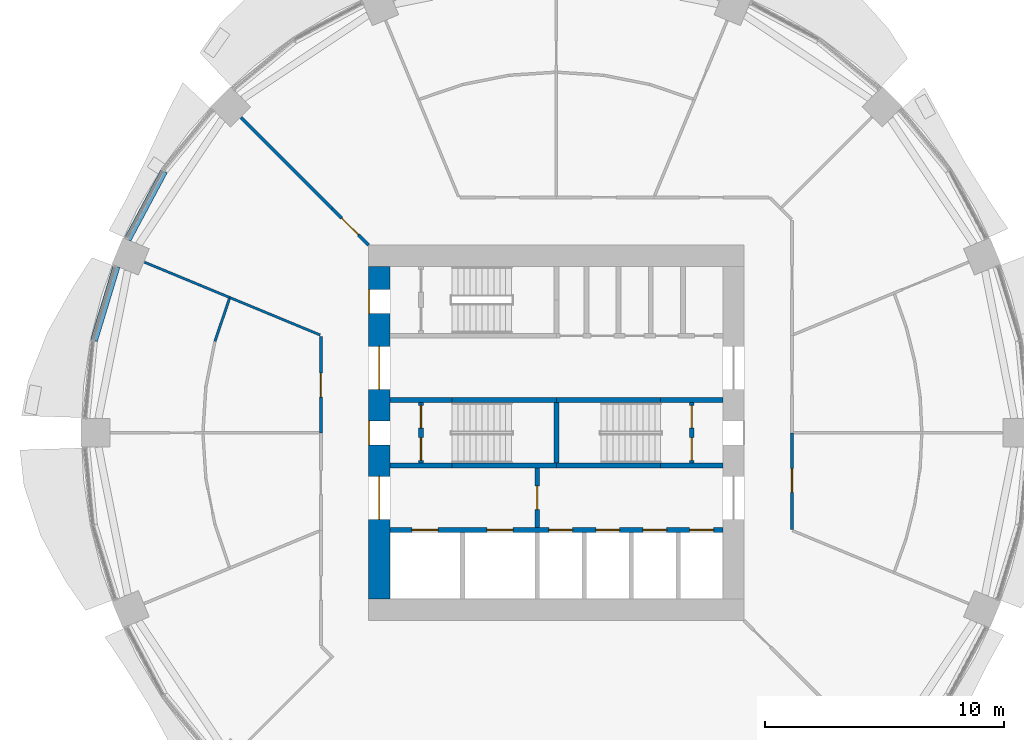
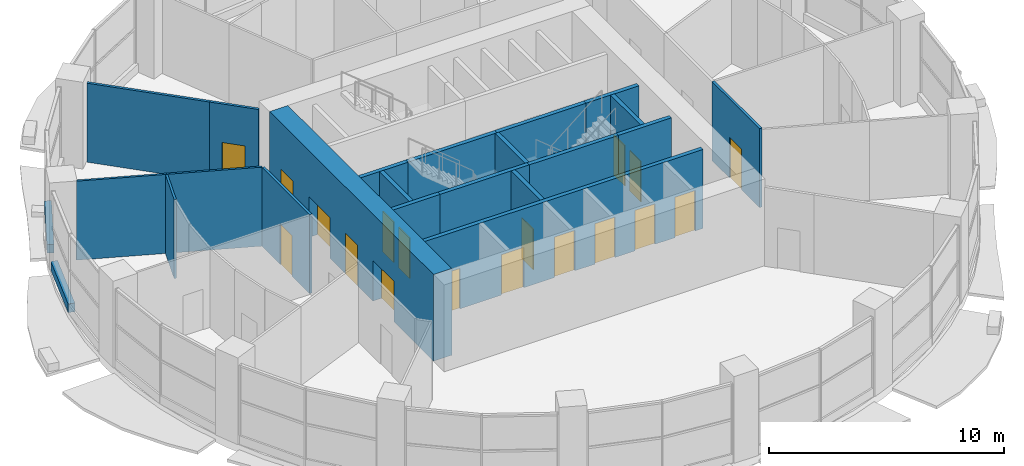
# One storey, part 8 of 14: 23 walls, 18 doors, 18 openings.
"""IFC4 building model written with IfcOpenShell, lengths in metres."""

from ifc_helpers import new_model, si_unit, direction, frame, frame_2d, origin, place, context, subcontext, project, spatial, rectangle, extrude, material, layer, layer_set, type_object, element, fill, save


model = new_model("IFC4")

# Units and contexts
model_context = context("Model", 3, precision=1e-05, world=origin(), true_north=direction((0.0, 1.0)))
body_context = subcontext(model_context, "Body", "Model", "MODEL_VIEW")
ifc_project = project(units=[si_unit("LENGTHUNIT", "METRE"), si_unit("AREAUNIT", "SQUARE_METRE"), si_unit("VOLUMEUNIT", "CUBIC_METRE"), si_unit("PLANEANGLEUNIT", "RADIAN"), si_unit("MASSUNIT", "GRAM", prefix="KILO")], contexts=[model_context])

# Site, building, storey
site_placement = place(None, origin())
site = spatial("IfcSite", under=ifc_project, at=site_placement, CompositionType="ELEMENT")
building_placement = place(site_placement, origin())
building = spatial("IfcBuilding", under=site, at=building_placement, Name="Polderwave Tower", CompositionType="ELEMENT")
storey_placement = place(building_placement, frame((0.0, 0.0, 9.89990234375)))
storey = spatial("IfcBuildingStorey", under=building, at=storey_placement, Name="L02", CompositionType="ELEMENT", Elevation=9.89990234375)

# Wall, openings, doors
ifc_material_1 = material(Name="Concrete C80/95", Category="concrete")
ifc_layer_1 = layer(ifc_material_1, 0.89990234375)
ifc_layer_set_1 = layer_set([ifc_layer_1], Name="CORE WALL 900 C80/95")
wall_type_1 = type_object("IfcWallType", Name="CORE WALL 900 C80/95", PredefinedType="SHEAR", material=ifc_layer_set_1)
wall_1_placement = place(storey_placement, frame((-7.424072265625, -6.97412109375, 0.0), z_axis=(0.0, 0.0, 1.0), x_axis=(0.0, 1.0, 0.0)))
wall_1 = element("IfcWall", 1, at=wall_1_placement, inside=storey, type_object=wall_type_1, Name="ST-CORE-L02-W", PredefinedType="SHEAR", context=body_context, shape_type="SweptSolid", body=[
    extrude(rectangle(XDim=13.9482421875, YDim=0.89990234375, at=frame_2d((6.97412109375, 0.0))), origin(), (0.0, 0.0, 1.0), 4.5),
])
opening_1_placement = place(wall_1_placement, frame((6.47412109375, 0.0, 0.0)))
opening_1 = element("IfcOpeningElement", 2, at=opening_1_placement, cuts=wall_1, Name="Opening L02-D19", PredefinedType="OPENING", context=body_context, shape_type="SweptSolid", body=[
    extrude(rectangle(XDim=1.0, YDim=2.10009765625, at=frame_2d((0.5, 1.050048828125))), frame((0.0, 0.4599609375, 0.0), z_axis=(0.0, -1.0, 0.0), x_axis=(1.0, 0.0, 0.0)), (0.0, 0.0, 1.0), 0.919921875),
])
opening_2_placement = place(wall_1_placement, frame((3.349609375, 0.0, 0.0)))
opening_2 = element("IfcOpeningElement", 3, at=opening_2_placement, cuts=wall_1, Name="Opening L02-D20", PredefinedType="OPENING", context=body_context, shape_type="SweptSolid", body=[
    extrude(rectangle(XDim=1.800048828125, YDim=2.10009765625, at=frame_2d((0.89990234375, 1.050048828125))), frame((0.0, 0.4599609375, 0.0), z_axis=(0.0, -1.0, 0.0), x_axis=(1.0, 0.0, 0.0)), (0.0, 0.0, 1.0), 0.919921875),
])
opening_3_placement = place(wall_1_placement, frame((8.798583984375, 0.0, 0.0)))
opening_3 = element("IfcOpeningElement", 4, at=opening_3_placement, cuts=wall_1, Name="Opening L02-D21", PredefinedType="OPENING", context=body_context, shape_type="SweptSolid", body=[
    extrude(rectangle(XDim=1.800048828125, YDim=2.10009765625, at=frame_2d((0.89990234375, 1.050048828125))), frame((0.0, 0.4599609375, 0.0), z_axis=(0.0, -1.0, 0.0), x_axis=(1.0, 0.0, 0.0)), (0.0, 0.0, 1.0), 0.919921875),
])
opening_4_placement = place(wall_1_placement, frame((11.97412109375, 0.0, 0.0)))
opening_4 = element("IfcOpeningElement", 5, at=opening_4_placement, cuts=wall_1, Name="Opening L02-D22", PredefinedType="OPENING", context=body_context, shape_type="SweptSolid", body=[
    extrude(rectangle(XDim=1.0, YDim=2.10009765625, at=frame_2d((0.5, 1.050048828125))), frame((0.0, 0.4599609375, 0.0), z_axis=(0.0, -1.0, 0.0), x_axis=(1.0, 0.0, 0.0)), (0.0, 0.0, 1.0), 0.919921875),
])
ifc_material_2 = material(Name="Steel fire door", Category="steel")
door_type_1 = type_object("IfcDoorType", Name="Lobby entry door pair 1800", OperationType="DOUBLE_DOOR_SINGLE_SWING", PredefinedType="DOOR", material=ifc_material_2)
door_1_placement = place(opening_2_placement, origin())
door_1 = element("IfcDoor", 6, at=door_1_placement, inside=storey, type_object=door_type_1, Name="Fire-fighting lobby entry door", OperationType="DOUBLE_DOOR_SINGLE_SWING", OverallHeight=2.10009765625, OverallWidth=1.800048828125, PredefinedType="DOOR", context=body_context, shape_type="SweptSolid", body=[
    extrude(rectangle(XDim=1.800048828125, YDim=2.10009765625, at=frame_2d((0.89990234375, 1.050048828125))), frame((0.0, 0.02490234375, 0.0), z_axis=(0.0, -1.0, 0.0), x_axis=(1.0, 0.0, 0.0)), (0.0, 0.0, 1.0), 0.050048828125),
])
fill(opening_2, door_1)
door_2_placement = place(opening_3_placement, origin())
door_2 = element("IfcDoor", 7, at=door_2_placement, inside=storey, type_object=door_type_1, Name="North lobby entry door", OperationType="DOUBLE_DOOR_SINGLE_SWING", OverallHeight=2.10009765625, OverallWidth=1.800048828125, PredefinedType="DOOR", context=body_context, shape_type="SweptSolid", body=[
    extrude(rectangle(XDim=1.800048828125, YDim=2.10009765625, at=frame_2d((0.89990234375, 1.050048828125))), frame((0.0, 0.02490234375, 0.0), z_axis=(0.0, -1.0, 0.0), x_axis=(1.0, 0.0, 0.0)), (0.0, 0.0, 1.0), 0.050048828125),
])
fill(opening_3, door_2)
door_type_2 = type_object("IfcDoorType", Name="Stair door 1000", OperationType="NOTDEFINED", PredefinedType="DOOR", material=ifc_material_2)
door_3_placement = place(opening_1_placement, origin())
door_3 = element("IfcDoor", 8, at=door_3_placement, inside=storey, type_object=door_type_2, Name="Stair A entry door", OperationType="SINGLE_SWING_RIGHT", OverallHeight=2.10009765625, OverallWidth=1.0, PredefinedType="DOOR", context=body_context, shape_type="SweptSolid", body=[
    extrude(rectangle(XDim=1.0, YDim=2.10009765625, at=frame_2d((0.5, 1.050048828125))), frame((0.0, 0.4501953125, 0.0), z_axis=(0.0, -1.0, 0.0), x_axis=(1.0, 0.0, 0.0)), (0.0, 0.0, 1.0), 0.050048828125),
])
fill(opening_1, door_3)
door_4_placement = place(opening_4_placement, origin())
door_4 = element("IfcDoor", 9, at=door_4_placement, inside=storey, type_object=door_type_2, Name="Stair C entry door", OperationType="SINGLE_SWING_RIGHT", OverallHeight=2.10009765625, OverallWidth=1.0, PredefinedType="DOOR", context=body_context, shape_type="SweptSolid", body=[
    extrude(rectangle(XDim=1.0, YDim=2.10009765625, at=frame_2d((0.5, 1.050048828125))), frame((0.0, 0.4501953125, 0.0), z_axis=(0.0, -1.0, 0.0), x_axis=(1.0, 0.0, 0.0)), (0.0, 0.0, 1.0), 0.050048828125),
])
fill(opening_4, door_4)

# Walls
ifc_material_3 = material(Name="Concrete C50/60 (board-marked)", Category="concrete")
ifc_layer_2 = layer(ifc_material_3, 0.300048828125)
ifc_layer_set_2 = layer_set([ifc_layer_2], Name="Concrete spandrel upstand C50/60")
wall_type_2 = type_object("IfcWallType", Name="Concrete spandrel upstand C50/60", PredefinedType="SOLIDWALL", material=ifc_layer_set_2)
wall_2_placement = place(storey_placement, frame((-16.445068359375, 10.9697265625, 0.0), z_axis=(0.0, 0.0, 1.0), x_axis=(-0.471220846392, -0.882015257196, 0.0)))
element("IfcWall", 10, at=wall_2_placement, inside=storey, type_object=wall_type_2, Name="Spandrel L02 7b", PredefinedType="SOLIDWALL", context=body_context, shape_type="SweptSolid", body=[
    extrude(rectangle(XDim=3.244384765625, YDim=0.300048828125, at=frame_2d((1.6220703125, 0.0))), origin(), (0.0, 0.0, 1.0), 0.4501953125),
])
wall_3_placement = place(storey_placement, frame((-18.443359375, 6.9755859375, 0.0), z_axis=(0.0, 0.0, 1.0), x_axis=(-0.290418848098, -0.95689962518, 0.0)))
element("IfcWall", 11, at=wall_3_placement, inside=storey, type_object=wall_type_2, Name="Spandrel L02 8a", PredefinedType="SOLIDWALL", context=body_context, shape_type="SweptSolid", body=[
    extrude(rectangle(XDim=3.244140625, YDim=0.300048828125, at=frame_2d((1.6220703125, 0.0))), origin(), (0.0, 0.0, 1.0), 0.4501953125),
])

# Wall, opening, door
ifc_material_4 = material(Name="Gypsum board partition")
ifc_layer_3 = layer(ifc_material_4, 0.199951171875)
ifc_layer_set_3 = layer_set([ifc_layer_3], Name="Core room partition 200")
wall_type_3 = type_object("IfcWallType", Name="Core room partition 200", PredefinedType="PARTITIONING", material=ifc_layer_set_3)
wall_4_placement = place(storey_placement, frame((-0.800048828125, -3.97412109375, 0.0), z_axis=(0.0, 0.0, 1.0), x_axis=(0.0, 1.0, 0.0)))
wall_4 = element("IfcWall", 12, at=wall_4_placement, inside=storey, type_object=wall_type_3, Name="L02 fire-fighting lobby wall", PredefinedType="PARTITIONING", context=body_context, shape_type="SweptSolid", body=[
    extrude(rectangle(XDim=2.4990234375, YDim=0.199951171875, at=frame_2d((1.24951171875, 0.0))), origin(), (0.0, 0.0, 1.0), 4.10009765625),
])
opening_5_placement = place(wall_4_placement, frame((0.74951171875, 0.0, 0.0)))
opening_5 = element("IfcOpeningElement", 13, at=opening_5_placement, cuts=wall_4, Name="Opening L02-D13", PredefinedType="OPENING", context=body_context, shape_type="SweptSolid", body=[
    extrude(rectangle(XDim=1.0, YDim=2.10009765625, at=frame_2d((0.5, 1.050048828125))), frame((0.0, 0.10986328125, 0.0), z_axis=(0.0, -1.0, 0.0), x_axis=(1.0, 0.0, 0.0)), (0.0, 0.0, 1.0), 0.219970703125),
])
door_type_3 = type_object("IfcDoorType", Name="Lobby fire door 1000", OperationType="NOTDEFINED", PredefinedType="DOOR", material=ifc_material_2)
door_5_placement = place(opening_5_placement, frame((1.0, 0.0, 0.0), z_axis=(0.0, 0.0, 1.0), x_axis=(-1.0, 0.0, 0.0)))
door_5 = element("IfcDoor", 14, at=door_5_placement, inside=storey, type_object=door_type_3, Name="Fire-fighting lobby door", OperationType="SINGLE_SWING_LEFT", OverallHeight=2.10009765625, OverallWidth=1.0, PredefinedType="DOOR", context=body_context, shape_type="SweptSolid", body=[
    extrude(rectangle(XDim=1.0, YDim=2.10009765625, at=frame_2d((0.5, 1.050048828125))), frame((0.0, 0.02490234375, 0.0), z_axis=(0.0, -1.0, 0.0), x_axis=(1.0, 0.0, 0.0)), (0.0, 0.0, 1.0), 0.050048828125),
])
fill(opening_5, door_5)

# Wall, openings, doors
wall_5_placement = place(storey_placement, frame((-5.674072265625, -1.27490234375, 0.0), z_axis=(0.0, 0.0, 1.0), x_axis=(0.0, 1.0, 0.0)))
wall_5 = element("IfcWall", 15, at=wall_5_placement, inside=storey, type_object=wall_type_3, Name="L02 smoke lobby wall A", PredefinedType="PARTITIONING", context=body_context, shape_type="SweptSolid", body=[
    extrude(rectangle(XDim=2.5498046875, YDim=0.199951171875, at=frame_2d((1.27490234375, 0.0))), origin(), (0.0, 0.0, 1.0), 4.10009765625),
])
opening_6_placement = place(wall_5_placement, frame((0.125, 0.0, 0.0)))
opening_6 = element("IfcOpeningElement", 16, at=opening_6_placement, cuts=wall_5, Name="Opening L02-D07", PredefinedType="OPENING", context=body_context, shape_type="SweptSolid", body=[
    extrude(rectangle(XDim=0.949951171875, YDim=2.10009765625, at=frame_2d((0.47509765625, 1.050048828125))), frame((0.0, 0.10986328125, 0.0), z_axis=(0.0, -1.0, 0.0), x_axis=(1.0, 0.0, 0.0)), (0.0, 0.0, 1.0), 0.219970703125),
])
opening_7_placement = place(wall_5_placement, frame((1.47509765625, 0.0, 0.0)))
opening_7 = element("IfcOpeningElement", 17, at=opening_7_placement, cuts=wall_5, Name="Opening L02-D08", PredefinedType="OPENING", context=body_context, shape_type="SweptSolid", body=[
    extrude(rectangle(XDim=0.949951171875, YDim=2.10009765625, at=frame_2d((0.47509765625, 1.050048828125))), frame((0.0, 0.10986328125, 0.0), z_axis=(0.0, -1.0, 0.0), x_axis=(1.0, 0.0, 0.0)), (0.0, 0.0, 1.0), 0.219970703125),
])
door_type_4 = type_object("IfcDoorType", Name="Smoke lobby door 950", OperationType="NOTDEFINED", PredefinedType="DOOR", material=ifc_material_2)
door_6_placement = place(opening_6_placement, origin())
door_6 = element("IfcDoor", 18, at=door_6_placement, inside=storey, type_object=door_type_4, Name="Stair A smoke lobby inner door", OperationType="SINGLE_SWING_LEFT", OverallHeight=2.10009765625, OverallWidth=0.949951171875, PredefinedType="DOOR", context=body_context, shape_type="SweptSolid", body=[
    extrude(rectangle(XDim=0.949951171875, YDim=2.10009765625, at=frame_2d((0.47509765625, 1.050048828125))), frame((0.0, 0.02490234375, 0.0), z_axis=(0.0, -1.0, 0.0), x_axis=(1.0, 0.0, 0.0)), (0.0, 0.0, 1.0), 0.050048828125),
])
fill(opening_6, door_6)
door_7_placement = place(opening_7_placement, origin())
door_7 = element("IfcDoor", 19, at=door_7_placement, inside=storey, type_object=door_type_4, Name="Stair A smoke lobby inner door", OperationType="SINGLE_SWING_RIGHT", OverallHeight=2.10009765625, OverallWidth=0.949951171875, PredefinedType="DOOR", context=body_context, shape_type="SweptSolid", body=[
    extrude(rectangle(XDim=0.949951171875, YDim=2.10009765625, at=frame_2d((0.47509765625, 1.050048828125))), frame((0.0, 0.02490234375, 0.0), z_axis=(0.0, -1.0, 0.0), x_axis=(1.0, 0.0, 0.0)), (0.0, 0.0, 1.0), 0.050048828125),
])
fill(opening_7, door_7)

wall_6_placement = place(storey_placement, frame((5.674072265625, -1.27490234375, 0.0), z_axis=(0.0, 0.0, 1.0), x_axis=(0.0, 1.0, 0.0)))
wall_6 = element("IfcWall", 20, at=wall_6_placement, inside=storey, type_object=wall_type_3, Name="L02 smoke lobby wall B", PredefinedType="PARTITIONING", context=body_context, shape_type="SweptSolid", body=[
    extrude(rectangle(XDim=2.5498046875, YDim=0.199951171875, at=frame_2d((1.27490234375, 0.0))), origin(), (0.0, 0.0, 1.0), 4.10009765625),
])
opening_8_placement = place(wall_6_placement, frame((0.125, 0.0, 0.0)))
opening_8 = element("IfcOpeningElement", 21, at=opening_8_placement, cuts=wall_6, Name="Opening L02-D09", PredefinedType="OPENING", context=body_context, shape_type="SweptSolid", body=[
    extrude(rectangle(XDim=0.949951171875, YDim=2.10009765625, at=frame_2d((0.47509765625, 1.050048828125))), frame((0.0, 0.10986328125, 0.0), z_axis=(0.0, -1.0, 0.0), x_axis=(1.0, 0.0, 0.0)), (0.0, 0.0, 1.0), 0.219970703125),
])
opening_9_placement = place(wall_6_placement, frame((1.47509765625, 0.0, 0.0)))
opening_9 = element("IfcOpeningElement", 22, at=opening_9_placement, cuts=wall_6, Name="Opening L02-D10", PredefinedType="OPENING", context=body_context, shape_type="SweptSolid", body=[
    extrude(rectangle(XDim=0.949951171875, YDim=2.10009765625, at=frame_2d((0.47509765625, 1.050048828125))), frame((0.0, 0.10986328125, 0.0), z_axis=(0.0, -1.0, 0.0), x_axis=(1.0, 0.0, 0.0)), (0.0, 0.0, 1.0), 0.219970703125),
])
door_8_placement = place(opening_8_placement, frame((0.949951171875, 0.0, 0.0), z_axis=(0.0, 0.0, 1.0), x_axis=(-1.0, 0.0, 0.0)))
door_8 = element("IfcDoor", 23, at=door_8_placement, inside=storey, type_object=door_type_4, Name="Stair B smoke lobby inner door", OperationType="SINGLE_SWING_RIGHT", OverallHeight=2.10009765625, OverallWidth=0.949951171875, PredefinedType="DOOR", context=body_context, shape_type="SweptSolid", body=[
    extrude(rectangle(XDim=0.949951171875, YDim=2.10009765625, at=frame_2d((0.47509765625, 1.050048828125))), frame((0.0, 0.02490234375, 0.0), z_axis=(0.0, -1.0, 0.0), x_axis=(1.0, 0.0, 0.0)), (0.0, 0.0, 1.0), 0.050048828125),
])
fill(opening_8, door_8)
door_9_placement = place(opening_9_placement, frame((0.949951171875, 0.0, 0.0), z_axis=(0.0, 0.0, 1.0), x_axis=(-1.0, 0.0, 0.0)))
door_9 = element("IfcDoor", 24, at=door_9_placement, inside=storey, type_object=door_type_4, Name="Stair B smoke lobby inner door", OperationType="SINGLE_SWING_LEFT", OverallHeight=2.10009765625, OverallWidth=0.949951171875, PredefinedType="DOOR", context=body_context, shape_type="SweptSolid", body=[
    extrude(rectangle(XDim=0.949951171875, YDim=2.10009765625, at=frame_2d((0.47509765625, 1.050048828125))), frame((0.0, 0.02490234375, 0.0), z_axis=(0.0, -1.0, 0.0), x_axis=(1.0, 0.0, 0.0)), (0.0, 0.0, 1.0), 0.050048828125),
])
fill(opening_9, door_9)

ifc_material_5 = material(Name="Concrete C50/60", Category="concrete")
ifc_layer_4 = layer(ifc_material_5, 0.199951171875)
ifc_layer_set_4 = layer_set([ifc_layer_4], Name="Core web wall 200")
wall_type_4 = type_object("IfcWallType", Name="Core web wall 200", PredefinedType="SHEAR", material=ifc_layer_set_4)
wall_7_placement = place(storey_placement, frame((-6.97412109375, -4.073974609375, 0.0), z_axis=(0.0, 0.0, 1.0), x_axis=(1.0, 0.0, 0.0)))
wall_7 = element("IfcWall", 25, at=wall_7_placement, inside=storey, type_object=wall_type_4, Name="L02 south front wall", PredefinedType="SHEAR", context=body_context, shape_type="SweptSolid", body=[
    extrude(rectangle(XDim=13.9482421875, YDim=0.199951171875, at=frame_2d((6.97412109375, 0.0))), origin(), (0.0, 0.0, 1.0), 4.10009765625),
])
opening_10_placement = place(wall_7_placement, frame((0.91845703125, 0.0, 0.0)))
opening_10 = element("IfcOpeningElement", 26, at=opening_10_placement, cuts=wall_7, Name="Opening L02-D01", PredefinedType="OPENING", context=body_context, shape_type="SweptSolid", body=[
    extrude(rectangle(XDim=1.10009765625, YDim=2.10009765625, at=frame_2d((0.550048828125, 1.050048828125))), frame((0.0, 0.10986328125, 0.0), z_axis=(0.0, -1.0, 0.0), x_axis=(1.0, 0.0, 0.0)), (0.0, 0.0, 1.0), 0.219970703125),
])
opening_11_placement = place(wall_7_placement, frame((4.055419921875, 0.0, 0.0)))
opening_11 = element("IfcOpeningElement", 27, at=opening_11_placement, cuts=wall_7, Name="Opening L02-D02", PredefinedType="OPENING", context=body_context, shape_type="SweptSolid", body=[
    extrude(rectangle(XDim=1.10009765625, YDim=2.10009765625, at=frame_2d((0.550048828125, 1.050048828125))), frame((0.0, 0.10986328125, 0.0), z_axis=(0.0, -1.0, 0.0), x_axis=(1.0, 0.0, 0.0)), (0.0, 0.0, 1.0), 0.219970703125),
])
opening_12_placement = place(wall_7_placement, frame((6.658203125, 0.0, 0.0)))
opening_12 = element("IfcOpeningElement", 28, at=opening_12_placement, cuts=wall_7, Name="Opening L02-D03", PredefinedType="OPENING", context=body_context, shape_type="SweptSolid", body=[
    extrude(rectangle(XDim=1.0, YDim=2.10009765625, at=frame_2d((0.5, 1.050048828125))), frame((0.0, 0.10986328125, 0.0), z_axis=(0.0, -1.0, 0.0), x_axis=(1.0, 0.0, 0.0)), (0.0, 0.0, 1.0), 0.219970703125),
])
opening_13_placement = place(wall_7_placement, frame((8.626708984375, 0.0, 0.0)))
opening_13 = element("IfcOpeningElement", 29, at=opening_13_placement, cuts=wall_7, Name="Opening L02-D04", PredefinedType="OPENING", context=body_context, shape_type="SweptSolid", body=[
    extrude(rectangle(XDim=1.0, YDim=2.10009765625, at=frame_2d((0.5, 1.050048828125))), frame((0.0, 0.10986328125, 0.0), z_axis=(0.0, -1.0, 0.0), x_axis=(1.0, 0.0, 0.0)), (0.0, 0.0, 1.0), 0.219970703125),
])
opening_14_placement = place(wall_7_placement, frame((10.59521484375, 0.0, 0.0)))
opening_14 = element("IfcOpeningElement", 30, at=opening_14_placement, cuts=wall_7, Name="Opening L02-D05", PredefinedType="OPENING", context=body_context, shape_type="SweptSolid", body=[
    extrude(rectangle(XDim=1.0, YDim=2.10009765625, at=frame_2d((0.5, 1.050048828125))), frame((0.0, 0.10986328125, 0.0), z_axis=(0.0, -1.0, 0.0), x_axis=(1.0, 0.0, 0.0)), (0.0, 0.0, 1.0), 0.219970703125),
])
opening_15_placement = place(wall_7_placement, frame((12.563720703125, 0.0, 0.0)))
opening_15 = element("IfcOpeningElement", 31, at=opening_15_placement, cuts=wall_7, Name="Opening L02-D06", PredefinedType="OPENING", context=body_context, shape_type="SweptSolid", body=[
    extrude(rectangle(XDim=1.0, YDim=2.10009765625, at=frame_2d((0.5, 1.050048828125))), frame((0.0, 0.10986328125, 0.0), z_axis=(0.0, -1.0, 0.0), x_axis=(1.0, 0.0, 0.0)), (0.0, 0.0, 1.0), 0.219970703125),
])
ifc_material_6 = material(Name="Stainless steel", Category="steel")
door_type_5 = type_object("IfcDoorType", Name="Fire-fighting lift landing door 1100", OperationType="DOUBLE_DOOR_SLIDING", PredefinedType="DOOR", material=ifc_material_6)
door_10_placement = place(opening_10_placement, origin())
door_10 = element("IfcDoor", 32, at=door_10_placement, inside=storey, type_object=door_type_5, Name="Fire-fighting lift FF1 landing door", OperationType="DOUBLE_DOOR_SLIDING", OverallHeight=2.10009765625, OverallWidth=1.10009765625, PredefinedType="DOOR", context=body_context, shape_type="SweptSolid", body=[
    extrude(rectangle(XDim=1.10009765625, YDim=2.10009765625, at=frame_2d((0.550048828125, 1.050048828125))), frame((0.0, 0.02490234375, 0.0), z_axis=(0.0, -1.0, 0.0), x_axis=(1.0, 0.0, 0.0)), (0.0, 0.0, 1.0), 0.050048828125),
])
fill(opening_10, door_10)
door_11_placement = place(opening_11_placement, origin())
door_11 = element("IfcDoor", 33, at=door_11_placement, inside=storey, type_object=door_type_5, Name="Fire-fighting lift FF2 landing door", OperationType="DOUBLE_DOOR_SLIDING", OverallHeight=2.10009765625, OverallWidth=1.10009765625, PredefinedType="DOOR", context=body_context, shape_type="SweptSolid", body=[
    extrude(rectangle(XDim=1.10009765625, YDim=2.10009765625, at=frame_2d((0.550048828125, 1.050048828125))), frame((0.0, 0.02490234375, 0.0), z_axis=(0.0, -1.0, 0.0), x_axis=(1.0, 0.0, 0.0)), (0.0, 0.0, 1.0), 0.050048828125),
])
fill(opening_11, door_11)
door_type_6 = type_object("IfcDoorType", Name="Lift landing door 1000", OperationType="DOUBLE_DOOR_SLIDING", PredefinedType="DOOR", material=ifc_material_6)
door_12_placement = place(opening_12_placement, origin())
door_12 = element("IfcDoor", 34, at=door_12_placement, inside=storey, type_object=door_type_6, Name="Lift LL1 landing door", OperationType="DOUBLE_DOOR_SLIDING", OverallHeight=2.10009765625, OverallWidth=1.0, PredefinedType="DOOR", context=body_context, shape_type="SweptSolid", body=[
    extrude(rectangle(XDim=1.0, YDim=2.10009765625, at=frame_2d((0.5, 1.050048828125))), frame((0.0, 0.02490234375, 0.0), z_axis=(0.0, -1.0, 0.0), x_axis=(1.0, 0.0, 0.0)), (0.0, 0.0, 1.0), 0.050048828125),
])
fill(opening_12, door_12)
door_13_placement = place(opening_13_placement, origin())
door_13 = element("IfcDoor", 35, at=door_13_placement, inside=storey, type_object=door_type_6, Name="Lift LL2 landing door", OperationType="DOUBLE_DOOR_SLIDING", OverallHeight=2.10009765625, OverallWidth=1.0, PredefinedType="DOOR", context=body_context, shape_type="SweptSolid", body=[
    extrude(rectangle(XDim=1.0, YDim=2.10009765625, at=frame_2d((0.5, 1.050048828125))), frame((0.0, 0.02490234375, 0.0), z_axis=(0.0, -1.0, 0.0), x_axis=(1.0, 0.0, 0.0)), (0.0, 0.0, 1.0), 0.050048828125),
])
fill(opening_13, door_13)
door_14_placement = place(opening_14_placement, origin())
door_14 = element("IfcDoor", 36, at=door_14_placement, inside=storey, type_object=door_type_6, Name="Lift LL3 landing door", OperationType="DOUBLE_DOOR_SLIDING", OverallHeight=2.10009765625, OverallWidth=1.0, PredefinedType="DOOR", context=body_context, shape_type="SweptSolid", body=[
    extrude(rectangle(XDim=1.0, YDim=2.10009765625, at=frame_2d((0.5, 1.050048828125))), frame((0.0, 0.02490234375, 0.0), z_axis=(0.0, -1.0, 0.0), x_axis=(1.0, 0.0, 0.0)), (0.0, 0.0, 1.0), 0.050048828125),
])
fill(opening_14, door_14)
door_15_placement = place(opening_15_placement, origin())
door_15 = element("IfcDoor", 37, at=door_15_placement, inside=storey, type_object=door_type_6, Name="Lift LL4 landing door", OperationType="DOUBLE_DOOR_SLIDING", OverallHeight=2.10009765625, OverallWidth=1.0, PredefinedType="DOOR", context=body_context, shape_type="SweptSolid", body=[
    extrude(rectangle(XDim=1.0, YDim=2.10009765625, at=frame_2d((0.5, 1.050048828125))), frame((0.0, 0.02490234375, 0.0), z_axis=(0.0, -1.0, 0.0), x_axis=(1.0, 0.0, 0.0)), (0.0, 0.0, 1.0), 0.050048828125),
])
fill(opening_15, door_15)

# Walls
wall_8_placement = place(storey_placement, frame((-6.97412109375, -1.375, 0.0), z_axis=(0.0, 0.0, 1.0), x_axis=(1.0, 0.0, 0.0)))
element("IfcWall", 38, at=wall_8_placement, inside=storey, type_object=wall_type_4, Name="L02 south stair wall 1", PredefinedType="SHEAR", context=body_context, shape_type="SweptSolid", body=[
    extrude(rectangle(XDim=2.60009765625, YDim=0.199951171875, at=frame_2d((1.300048828125, 0.0))), origin(), (0.0, 0.0, 1.0), 4.10009765625),
])
for number, where, z_axis, x_axis, name in (
    (39, (-4.3740234375, -1.375, 0.0), (0.0, 0.0, 1.0), (1.0, 0.0, 0.0), "L02 south stair wall 2"),
    (40, (0.0, -1.375, 0.0), (0.0, 0.0, 1.0), (1.0, 0.0, 0.0), "L02 south stair wall 3"),
):
    element("IfcWall", number, at=place(storey_placement, frame(where, z_axis=z_axis, x_axis=x_axis)), inside=storey, type_object=wall_type_4, Name=name, PredefinedType="SHEAR", context=body_context, shape_type="SweptSolid", body=[
        extrude(rectangle(XDim=4.3740234375, YDim=0.199951171875, at=frame_2d((2.18701171875, 0.0))), origin(), (0.0, 0.0, 1.0), 4.10009765625),
    ])
for number, where, z_axis, x_axis, name in (
    (41, (4.3740234375, -1.375, 0.0), (0.0, 0.0, 1.0), (1.0, 0.0, 0.0), "L02 south stair wall 4"),
    (42, (-6.97412109375, 1.375, 0.0), (0.0, 0.0, 1.0), (1.0, 0.0, 0.0), "L02 north stair wall 1"),
):
    element("IfcWall", number, at=place(storey_placement, frame(where, z_axis=z_axis, x_axis=x_axis)), inside=storey, type_object=wall_type_4, Name=name, PredefinedType="SHEAR", context=body_context, shape_type="SweptSolid", body=[
        extrude(rectangle(XDim=2.60009765625, YDim=0.199951171875, at=frame_2d((1.300048828125, 0.0))), origin(), (0.0, 0.0, 1.0), 4.10009765625),
    ])
for number, where, z_axis, x_axis, name in (
    (43, (-4.3740234375, 1.375, 0.0), (0.0, 0.0, 1.0), (1.0, 0.0, 0.0), "L02 north stair wall 2"),
    (44, (0.0, 1.375, 0.0), (0.0, 0.0, 1.0), (1.0, 0.0, 0.0), "L02 north stair wall 3"),
):
    element("IfcWall", number, at=place(storey_placement, frame(where, z_axis=z_axis, x_axis=x_axis)), inside=storey, type_object=wall_type_4, Name=name, PredefinedType="SHEAR", context=body_context, shape_type="SweptSolid", body=[
        extrude(rectangle(XDim=4.3740234375, YDim=0.199951171875, at=frame_2d((2.18701171875, 0.0))), origin(), (0.0, 0.0, 1.0), 4.10009765625),
    ])
wall_9_placement = place(storey_placement, frame((4.3740234375, 1.375, 0.0), z_axis=(0.0, 0.0, 1.0), x_axis=(1.0, 0.0, 0.0)))
element("IfcWall", 45, at=wall_9_placement, inside=storey, type_object=wall_type_4, Name="L02 north stair wall 4", PredefinedType="SHEAR", context=body_context, shape_type="SweptSolid", body=[
    extrude(rectangle(XDim=2.60009765625, YDim=0.199951171875, at=frame_2d((1.300048828125, 0.0))), origin(), (0.0, 0.0, 1.0), 4.10009765625),
])
wall_10_placement = place(storey_placement, frame((0.0, -1.27490234375, 0.0), z_axis=(0.0, 0.0, 1.0), x_axis=(0.0, 1.0, 0.0)))
element("IfcWall", 46, at=wall_10_placement, inside=storey, type_object=wall_type_4, Name="L02 wall between the stairs", PredefinedType="SHEAR", context=body_context, shape_type="SweptSolid", body=[
    extrude(rectangle(XDim=2.5498046875, YDim=0.199951171875, at=frame_2d((1.27490234375, 0.0))), origin(), (0.0, 0.0, 1.0), 4.10009765625),
])

# Wall, opening, door
ifc_material_7 = material(Name="Fire-resisting board on steel studs", Category="steel")
ifc_layer_5 = layer(ifc_material_7, 0.125)
ifc_layer_set_5 = layer_set([ifc_layer_5], Name="Corridor wall 125 mm EI 60")
wall_type_5 = type_object("IfcWallType", Name="Corridor wall 125 mm EI 60", PredefinedType="PARTITIONING", material=ifc_layer_set_5)
wall_11_placement = place(storey_placement, frame((9.8740234375, 0.0, 0.0), z_axis=(0.0, 0.0, 1.0), x_axis=(0.0, -1.0, 0.0)))
wall_11 = element("IfcWall", 47, at=wall_11_placement, inside=storey, type_object=wall_type_5, Name="IN-L02-W005", PredefinedType="PARTITIONING", context=body_context, shape_type="SweptSolid", body=[
    extrude(rectangle(XDim=4.048095703125, YDim=0.125, at=frame_2d((2.02392578125, 0.0))), origin(), (0.0, 0.0, 1.0), 4.10009765625),
])
opening_16_placement = place(wall_11_placement, frame((1.5, 0.0, 0.0)))
opening_16 = element("IfcOpeningElement", 48, at=opening_16_placement, cuts=wall_11, Name="Opening L02-D53", PredefinedType="OPENING", context=body_context, shape_type="SweptSolid", body=[
    extrude(rectangle(XDim=1.0, YDim=2.10009765625, at=frame_2d((0.5, 1.050048828125))), frame((0.0, 0.072509765625, 0.0), z_axis=(0.0, -1.0, 0.0), x_axis=(1.0, 0.0, 0.0)), (0.0, 0.0, 1.0), 0.14501953125),
])
ifc_material_8 = material(Name="Timber fire door leaf", Category="wood")
door_type_7 = type_object("IfcDoorType", Name="Fire door FD30S 1000 x 2100", OperationType="NOTDEFINED", PredefinedType="DOOR", material=ifc_material_8)
door_16_placement = place(opening_16_placement, origin())
door_16 = element("IfcDoor", 49, at=door_16_placement, inside=storey, type_object=door_type_7, Name="Door L02-D53", OperationType="SINGLE_SWING_LEFT", OverallHeight=2.10009765625, OverallWidth=1.0, PredefinedType="DOOR", context=body_context, shape_type="SweptSolid", body=[
    extrude(rectangle(XDim=1.0, YDim=2.10009765625, at=frame_2d((0.5, 1.050048828125))), frame((0.0, 0.02490234375, 0.0), z_axis=(0.0, -1.0, 0.0), x_axis=(1.0, 0.0, 0.0)), (0.0, 0.0, 1.0), 0.050048828125),
])
fill(opening_16, door_16)

wall_12_placement = place(storey_placement, frame((-7.8740234375, 7.8740234375, 0.0), z_axis=(0.0, 0.0, 1.0), x_axis=(-0.707106781187, 0.707106781187, 0.0)))
wall_12 = element("IfcWall", 50, at=wall_12_placement, inside=storey, type_object=wall_type_5, Name="IN-L02-W006", PredefinedType="PARTITIONING", context=body_context, shape_type="SweptSolid", body=[
    extrude(rectangle(XDim=2.16455078125, YDim=0.125, at=frame_2d((1.082275390625, 0.0))), origin(), (0.0, 0.0, 1.0), 4.10009765625),
])
opening_17_placement = place(wall_12_placement, frame((0.60009765625, 0.0, 0.0)))
opening_17 = element("IfcOpeningElement", 51, at=opening_17_placement, cuts=wall_12, Name="Opening L02-D54", PredefinedType="OPENING", context=body_context, shape_type="SweptSolid", body=[
    extrude(rectangle(XDim=1.0, YDim=2.10009765625, at=frame_2d((0.5, 1.050048828125))), frame((0.0, 0.072509765625, 0.0), z_axis=(0.0, -1.0, 0.0), x_axis=(1.0, 0.0, 0.0)), (0.0, 0.0, 1.0), 0.14501953125),
])
door_17_placement = place(opening_17_placement, origin())
door_17 = element("IfcDoor", 52, at=door_17_placement, inside=storey, type_object=door_type_7, Name="Door L02-D54", OperationType="SINGLE_SWING_RIGHT", OverallHeight=2.10009765625, OverallWidth=1.0, PredefinedType="DOOR", context=body_context, shape_type="SweptSolid", body=[
    extrude(rectangle(XDim=1.0, YDim=2.10009765625, at=frame_2d((0.5, 1.050048828125))), frame((0.0, 0.02490234375, 0.0), z_axis=(0.0, -1.0, 0.0), x_axis=(1.0, 0.0, 0.0)), (0.0, 0.0, 1.0), 0.050048828125),
])
fill(opening_17, door_17)

wall_13_placement = place(storey_placement, frame((-9.8740234375, 0.0, 0.0), z_axis=(0.0, 0.0, 1.0), x_axis=(0.0, 1.0, 0.0)))
wall_13 = element("IfcWall", 53, at=wall_13_placement, inside=storey, type_object=wall_type_5, Name="IN-L02-W011", PredefinedType="PARTITIONING", context=body_context, shape_type="SweptSolid", body=[
    extrude(rectangle(XDim=4.048095703125, YDim=0.125, at=frame_2d((2.02392578125, 0.0))), origin(), (0.0, 0.0, 1.0), 4.10009765625),
])
opening_18_placement = place(wall_13_placement, frame((1.5, 0.0, 0.0)))
opening_18 = element("IfcOpeningElement", 54, at=opening_18_placement, cuts=wall_13, Name="Opening L02-D58", PredefinedType="OPENING", context=body_context, shape_type="SweptSolid", body=[
    extrude(rectangle(XDim=1.0, YDim=2.10009765625, at=frame_2d((0.5, 1.050048828125))), frame((0.0, 0.072509765625, 0.0), z_axis=(0.0, -1.0, 0.0), x_axis=(1.0, 0.0, 0.0)), (0.0, 0.0, 1.0), 0.14501953125),
])
door_18_placement = place(opening_18_placement, origin())
door_18 = element("IfcDoor", 55, at=door_18_placement, inside=storey, type_object=door_type_7, Name="Door L02-D58", OperationType="SINGLE_SWING_LEFT", OverallHeight=2.10009765625, OverallWidth=1.0, PredefinedType="DOOR", context=body_context, shape_type="SweptSolid", body=[
    extrude(rectangle(XDim=1.0, YDim=2.10009765625, at=frame_2d((0.5, 1.050048828125))), frame((0.0, 0.02490234375, 0.0), z_axis=(0.0, -1.0, 0.0), x_axis=(1.0, 0.0, 0.0)), (0.0, 0.0, 1.0), 0.050048828125),
])
fill(opening_18, door_18)

# Walls
wall_14_placement = place(storey_placement, frame((-9.404541015625, 9.404541015625, 0.0), z_axis=(0.0, 0.0, 1.0), x_axis=(-0.707106781187, 0.707106781187, 0.0)))
element("IfcWall", 56, at=wall_14_placement, inside=storey, type_object=wall_type_5, Name="IN-L02-W036", PredefinedType="PARTITIONING", context=body_context, shape_type="SweptSolid", body=[
    extrude(rectangle(XDim=5.389892578125, YDim=0.125, at=frame_2d((2.69482421875, 0.0))), origin(), (0.0, 0.0, 1.0), 4.10009765625),
])
ifc_material_9 = material(Name="Plasterboard on steel studs", Category="steel")
ifc_layer_6 = layer(ifc_material_9, 0.10009765625)
ifc_layer_set_6 = layer_set([ifc_layer_6], Name="Partition 100 mm plasterboard on steel studs")
wall_type_6 = type_object("IfcWallType", Name="Partition 100 mm plasterboard on steel studs", PredefinedType="PARTITIONING", material=ifc_layer_set_6)
wall_15_placement = place(storey_placement, frame((-9.90478515625, 4.102783203125, 0.0), z_axis=(0.0, 0.0, 1.0), x_axis=(-0.923885444896, 0.382669158294, 0.0)))
element("IfcWall", 57, at=wall_15_placement, inside=storey, type_object=wall_type_6, Name="IN-L02-W037", PredefinedType="PARTITIONING", context=body_context, shape_type="SweptSolid", body=[
    extrude(rectangle(XDim=4.09912109375, YDim=0.10009765625, at=frame_2d((2.049560546875, 0.0))), origin(), (0.0, 0.0, 1.0), 4.10009765625),
])
wall_16_placement = place(storey_placement, frame((-13.69189453125, 5.67138671875, 0.0), z_axis=(0.0, 0.0, 1.0), x_axis=(-0.923883048049, 0.382674944996, 0.0)))
element("IfcWall", 58, at=wall_16_placement, inside=storey, type_object=wall_type_6, Name="IN-L02-W038", PredefinedType="PARTITIONING", context=body_context, shape_type="SweptSolid", body=[
    extrude(rectangle(XDim=3.8701171875, YDim=0.10009765625, at=frame_2d((1.93505859375, 0.0))), origin(), (0.0, 0.0, 1.0), 4.10009765625),
])
ifc_material_10 = material(Name="Moisture-resistant board on steel studs, tiled", Category="steel")
ifc_layer_7 = layer(ifc_material_10, 0.10498046875)
ifc_layer_set_7 = layer_set([ifc_layer_7], Name="Partition 105 mm wet room board and tile")
wall_type_7 = type_object("IfcWallType", Name="Partition 105 mm wet room board and tile", PredefinedType="PARTITIONING", material=ifc_layer_set_7)
wall_17_placement = place(storey_placement, frame((-14.31396484375, 3.839111328125, 0.0), z_axis=(0.0, 0.0, 1.0), x_axis=(0.321556084027, 0.946890534764, 0.0)))
element("IfcWall", 59, at=wall_17_placement, inside=storey, type_object=wall_type_7, Name="IN-L02-W041", PredefinedType="PARTITIONING", context=body_context, shape_type="SweptSolid", body=[
    extrude(rectangle(XDim=1.88134765625, YDim=0.10498046875, at=frame_2d((0.940673828125, 0.0))), origin(), (0.0, 0.0, 1.0), 4.10009765625),
])

save(model, "model.ifc")
